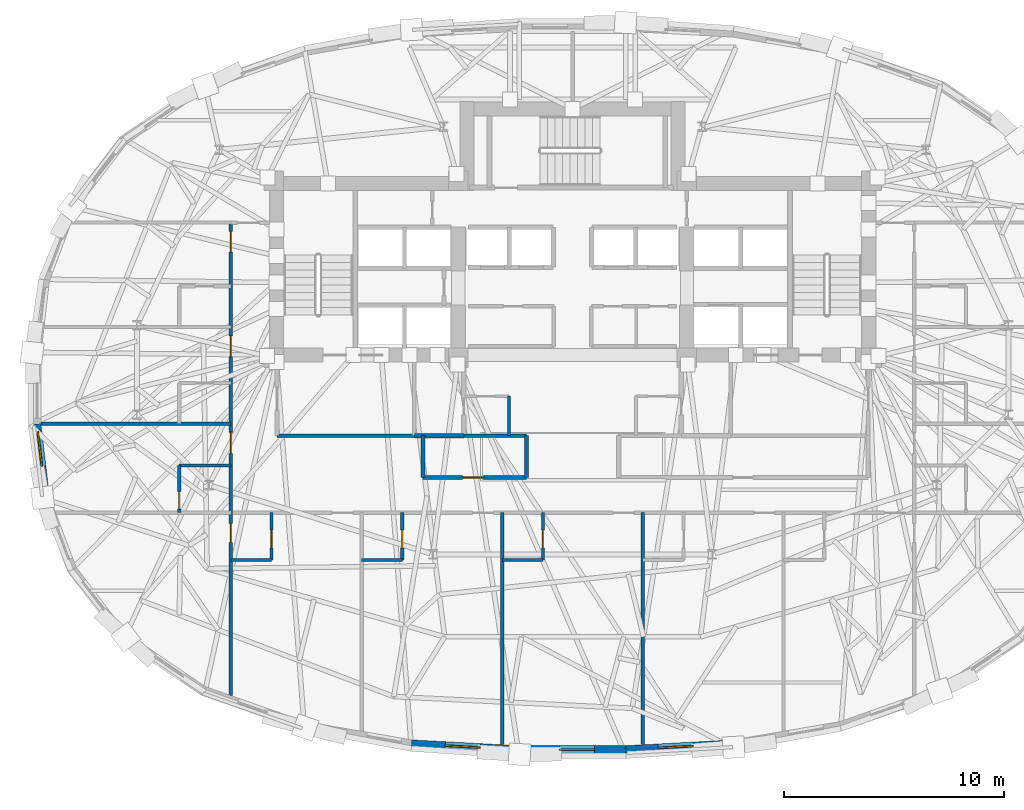
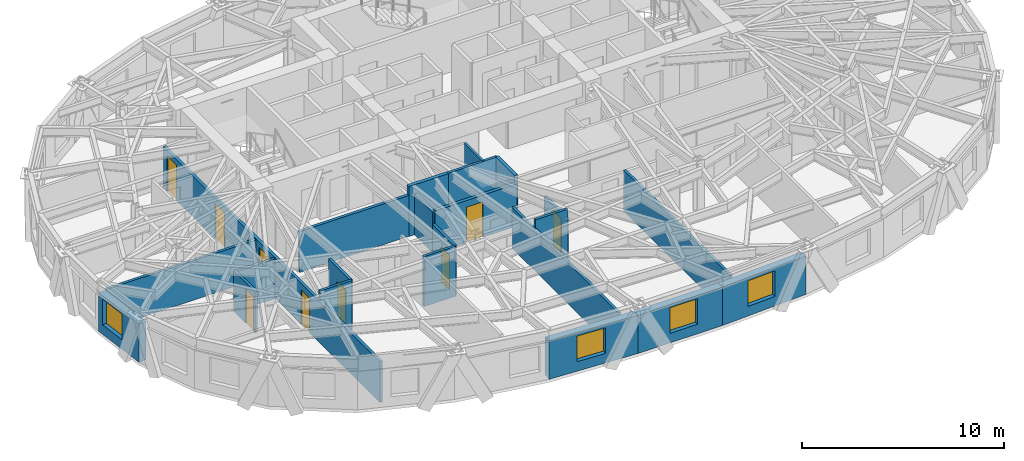
# One storey, part 6 of 15: 23 walls, 9 doors, 4 windows, 13 openings.
"""IFC4 building model written with IfcOpenShell, lengths in metres."""

from ifc_helpers import new_model, si_unit, direction, frame, frame_2d, origin, place, context, subcontext, project, spatial, rectangle, extrude, material, layer, layer_set, type_object, element, fill, save


model = new_model("IFC4")

# Units and contexts
model_context = context("Model", 3, precision=1e-05, world=origin(), true_north=direction((0.0, 1.0)))
body_context = subcontext(model_context, "Body", "Model", "MODEL_VIEW")
ifc_project = project(units=[si_unit("LENGTHUNIT", "METRE"), si_unit("AREAUNIT", "SQUARE_METRE"), si_unit("VOLUMEUNIT", "CUBIC_METRE"), si_unit("PLANEANGLEUNIT", "RADIAN"), si_unit("MASSUNIT", "GRAM", prefix="KILO")], contexts=[model_context])

# Site, building, storey
site_placement = place(None, origin())
site = spatial("IfcSite", under=ifc_project, at=site_placement, CompositionType="ELEMENT")
building_placement = place(site_placement, origin())
building = spatial("IfcBuilding", under=site, at=building_placement, Name="Keldmark Tower", CompositionType="ELEMENT")
storey_placement = place(building_placement, frame((0.0, 0.0, 143.800048828125)))
storey = spatial("IfcBuildingStorey", under=building, at=storey_placement, Name="L38", CompositionType="ELEMENT", Elevation=143.800048828125)

# Wall, opening, door
ifc_material_1 = material(Name="Heavy Acoustic Plumbing Chase Gypsum Assembly", Category="gypsum")
ifc_layer_1 = layer(ifc_material_1, 0.18994140625)
ifc_layer_set_1 = layer_set([ifc_layer_1], Name="Heavy Acoustic Plumbing Chase Gypsum Assembly")
wall_type_1 = type_object("IfcWallType", Name="Heavy Wet Wall 190 mm", PredefinedType="PLUMBINGWALL", material=ifc_layer_set_1)
wall_1_placement = place(storey_placement, frame((-6.800048828125, -4.050048828125, 0.0), z_axis=(0.0, 0.0, 1.0), x_axis=(1.0, 0.0, 0.0)))
wall_1 = element("IfcWall", 1, at=wall_1_placement, inside=storey, type_object=wall_type_1, Name="L38 Heavy Wet Wall 190 mm SPK-W-S", PredefinedType="PLUMBINGWALL", context=body_context, shape_type="SweptSolid", body=[
    extrude(rectangle(XDim=4.699951171875, YDim=0.18994140625, at=frame_2d((2.35009765625, 0.0))), origin(), (0.0, 0.0, 1.0), 2.554931640625),
])
opening_1_placement = place(wall_1_placement, frame((1.800048828125, 0.0, 0.0)))
opening_1 = element("IfcOpeningElement", 2, at=opening_1_placement, cuts=wall_1, Name="Opening D-AWC95", PredefinedType="OPENING", context=body_context, shape_type="SweptSolid", body=[
    extrude(rectangle(XDim=0.949951171875, YDim=2.14990234375, at=frame_2d((0.47509765625, 1.074951171875))), frame((0.0, 0.10498046875, 0.0), z_axis=(0.0, -1.0, 0.0), x_axis=(1.0, 0.0, 0.0)), (0.0, 0.0, 1.0), 0.2099609375),
])
ifc_material_2 = material(Name="Painted Solid-Core Architectural Wood", Category="wood")
door_type_1 = type_object("IfcDoorType", Name="Accessible WC Door 950x2150", OperationType="NOTDEFINED", PredefinedType="DOOR", material=ifc_material_2)
door_1_placement = place(opening_1_placement, origin())
door_1 = element("IfcDoor", 3, at=door_1_placement, inside=storey, type_object=door_type_1, Name="L38 Accessible WC Door 950x2150 D-SPKW1-L38", OperationType="SINGLE_SWING_LEFT", OverallHeight=2.14990234375, OverallWidth=0.949951171875, PredefinedType="DOOR", context=body_context, shape_type="SweptSolid", body=[
    extrude(rectangle(XDim=0.949951171875, YDim=2.14990234375, at=frame_2d((0.47509765625, 1.074951171875))), frame((0.0, 0.02490234375, 0.0), z_axis=(0.0, -1.0, 0.0), x_axis=(1.0, 0.0, 0.0)), (0.0, 0.0, 1.0), 0.050048828125),
])
fill(opening_1, door_1)

# Walls
wall_2_placement = place(storey_placement, frame((-6.800048828125, -4.050048828125, 0.0), z_axis=(0.0, 0.0, 1.0), x_axis=(0.0, 1.0, 0.0)))
element("IfcWall", 4, at=wall_2_placement, inside=storey, type_object=wall_type_1, Name="L38 Heavy Wet Wall 190 mm SPK-W-W", PredefinedType="PLUMBINGWALL", context=body_context, shape_type="SweptSolid", body=[
    extrude(rectangle(XDim=1.900146484375, YDim=0.18994140625, at=frame_2d((0.9501953125, 0.0))), origin(), (0.0, 0.0, 1.0), 2.472900390625),
])
wall_3_placement = place(storey_placement, frame((-2.10009765625, -4.050048828125, 0.0), z_axis=(0.0, 0.0, 1.0), x_axis=(0.0, 1.0, 0.0)))
element("IfcWall", 5, at=wall_3_placement, inside=storey, type_object=wall_type_1, Name="L38 Heavy Wet Wall 190 mm SPK-W-E", PredefinedType="PLUMBINGWALL", context=body_context, shape_type="SweptSolid", body=[
    extrude(rectangle(XDim=1.900146484375, YDim=0.18994140625, at=frame_2d((0.9501953125, 0.0))), origin(), (0.0, 0.0, 1.0), 3.02001953125),
])
ifc_material_3 = material(Name="Acoustic Gypsum Board Interior Partition", Category="gypsum")
ifc_layer_2 = layer(ifc_material_3, 0.1298828125)
ifc_layer_set_2 = layer_set([ifc_layer_2], Name="Acoustic Gypsum Board Interior Partition")
wall_type_2 = type_object("IfcWallType", Name="Interior Partition 130 mm", PredefinedType="PARTITIONING", material=ifc_layer_set_2)
wall_4_placement = place(storey_placement, frame((-2.889892578125, -2.14990234375, 0.0), z_axis=(0.0, 0.0, 1.0), x_axis=(0.0, 1.0, 0.0)))
element("IfcWall", 6, at=wall_4_placement, inside=storey, type_object=wall_type_2, Name="L38 Interior Partition 130 mm CSC-W-E", PredefinedType="PARTITIONING", context=body_context, shape_type="SweptSolid", body=[
    extrude(rectangle(XDim=1.7998046875, YDim=0.1298828125, at=frame_2d((0.89990234375, 0.0))), origin(), (0.0, 0.0, 1.0), 3.02001953125),
])
ifc_material_4 = material(Name="Type X Fire-Rated Gypsum Partition Assembly", Category="gypsum")
ifc_layer_3 = layer(ifc_material_4, 0.1650390625)
ifc_layer_set_3 = layer_set([ifc_layer_3], Name="Type X Fire-Rated Gypsum Partition Assembly")
wall_type_3 = type_object("IfcWallType", Name="Rated Partition 165 mm", PredefinedType="PARTITIONING", material=ifc_layer_set_3)
wall_5_placement = place(storey_placement, frame((-13.449951171875, -2.14990234375, 0.0), z_axis=(0.0, 0.0, 1.0), x_axis=(1.0, 0.0, 0.0)))
element("IfcWall", 7, at=wall_5_placement, inside=storey, type_object=wall_type_3, Name="L38 Rated Partition 165 mm FSAE-W-S", PredefinedType="PARTITIONING", context=body_context, shape_type="SweptSolid", body=[
    extrude(rectangle(XDim=6.25, YDim=0.1650390625, at=frame_2d((3.125, 0.0))), origin(), (0.0, 0.0, 1.0), 2.472900390625),
])

# Wall, openings, doors
wall_6_placement = place(storey_placement, frame((-15.550048828125, -13.964599609375, 0.0), z_axis=(0.0, 0.0, 1.0), x_axis=(0.0, 1.0, 0.0)))
wall_6 = element("IfcWall", 8, at=wall_6_placement, inside=storey, type_object=wall_type_3, Name="L38 Rated Partition 165 mm HCOR-W", PredefinedType="PARTITIONING", context=body_context, shape_type="SweptSolid", body=[
    extrude(rectangle(XDim=21.5146484375, YDim=0.1650390625, at=frame_2d((10.75732421875, 0.0))), origin(), (0.0, 0.0, 1.0), 2.472900390625),
])
opening_2_placement = place(wall_6_placement, frame((6.964111328125, 0.0, 0.0)))
opening_2 = element("IfcOpeningElement", 9, at=opening_2_placement, cuts=wall_6, Name="Opening D-IN085", PredefinedType="OPENING", context=body_context, shape_type="SweptSolid", body=[
    extrude(rectangle(XDim=0.85009765625, YDim=2.10009765625, at=frame_2d((0.425048828125, 1.050048828125))), frame((0.0, 0.092529296875, 0.0), z_axis=(0.0, -1.0, 0.0), x_axis=(1.0, 0.0, 0.0)), (0.0, 0.0, 1.0), 0.18505859375),
])
opening_3_placement = place(wall_6_placement, frame((11.01416015625, 0.0, 0.0)))
opening_3 = element("IfcOpeningElement", 10, at=opening_3_placement, cuts=wall_6, Name="Opening D-HT095", PredefinedType="OPENING", context=body_context, shape_type="SweptSolid", body=[
    extrude(rectangle(XDim=0.949951171875, YDim=2.14990234375, at=frame_2d((0.47509765625, 1.074951171875))), frame((0.0, 0.092529296875, 0.0), z_axis=(0.0, -1.0, 0.0), x_axis=(1.0, 0.0, 0.0)), (0.0, 0.0, 1.0), 0.18505859375),
])
opening_4_placement = place(wall_6_placement, frame((15.4140625, 0.0, 0.0)))
opening_4 = element("IfcOpeningElement", 11, at=opening_4_placement, cuts=wall_6, Name="Opening D-HT095", PredefinedType="OPENING", context=body_context, shape_type="SweptSolid", body=[
    extrude(rectangle(XDim=0.949951171875, YDim=2.14990234375, at=frame_2d((0.47509765625, 1.074951171875))), frame((0.0, 0.092529296875, 0.0), z_axis=(0.0, -1.0, 0.0), x_axis=(1.0, 0.0, 0.0)), (0.0, 0.0, 1.0), 0.18505859375),
])
opening_5_placement = place(wall_6_placement, frame((20.1650390625, 0.0, 0.0)))
opening_5 = element("IfcOpeningElement", 12, at=opening_5_placement, cuts=wall_6, Name="Opening D-HT095", PredefinedType="OPENING", context=body_context, shape_type="SweptSolid", body=[
    extrude(rectangle(XDim=0.949951171875, YDim=2.14990234375, at=frame_2d((0.47509765625, 1.074951171875))), frame((0.0, 0.092529296875, 0.0), z_axis=(0.0, -1.0, 0.0), x_axis=(1.0, 0.0, 0.0)), (0.0, 0.0, 1.0), 0.18505859375),
])
ifc_material_5 = material(Name="Solid-Core Acoustic White Oak Fire-Rated Assembly", Category="wood")
door_type_2 = type_object("IfcDoorType", Name="Hotel Entry Door 950x2150", OperationType="NOTDEFINED", PredefinedType="DOOR", material=ifc_material_5)
door_2_placement = place(opening_3_placement, origin())
door_2 = element("IfcDoor", 13, at=door_2_placement, inside=storey, type_object=door_type_2, Name="L38 Hotel Entry Door 950x2150 D-HR-6-L38", OperationType="SINGLE_SWING_RIGHT", OverallHeight=2.14990234375, OverallWidth=0.949951171875, PredefinedType="DOOR", context=body_context, shape_type="SweptSolid", body=[
    extrude(rectangle(XDim=0.949951171875, YDim=2.14990234375, at=frame_2d((0.47509765625, 1.074951171875))), frame((0.0, 0.02490234375, 0.0), z_axis=(0.0, -1.0, 0.0), x_axis=(1.0, 0.0, 0.0)), (0.0, 0.0, 1.0), 0.050048828125),
])
fill(opening_3, door_2)
door_3_placement = place(opening_4_placement, origin())
door_3 = element("IfcDoor", 14, at=door_3_placement, inside=storey, type_object=door_type_2, Name="L38 Hotel Entry Door 950x2150 D-HR-7-L38", OperationType="SINGLE_SWING_RIGHT", OverallHeight=2.14990234375, OverallWidth=0.949951171875, PredefinedType="DOOR", context=body_context, shape_type="SweptSolid", body=[
    extrude(rectangle(XDim=0.949951171875, YDim=2.14990234375, at=frame_2d((0.47509765625, 1.074951171875))), frame((0.0, 0.02490234375, 0.0), z_axis=(0.0, -1.0, 0.0), x_axis=(1.0, 0.0, 0.0)), (0.0, 0.0, 1.0), 0.050048828125),
])
fill(opening_4, door_3)
door_4_placement = place(opening_5_placement, origin())
door_4 = element("IfcDoor", 15, at=door_4_placement, inside=storey, type_object=door_type_2, Name="L38 Hotel Entry Door 950x2150 D-HR-8-L38", OperationType="SINGLE_SWING_RIGHT", OverallHeight=2.14990234375, OverallWidth=0.949951171875, PredefinedType="DOOR", context=body_context, shape_type="SweptSolid", body=[
    extrude(rectangle(XDim=0.949951171875, YDim=2.14990234375, at=frame_2d((0.47509765625, 1.074951171875))), frame((0.0, 0.02490234375, 0.0), z_axis=(0.0, -1.0, 0.0), x_axis=(1.0, 0.0, 0.0)), (0.0, 0.0, 1.0), 0.050048828125),
])
fill(opening_5, door_4)
ifc_material_6 = material(Name="Painted Architectural Wood", Category="wood")
door_type_3 = type_object("IfcDoorType", Name="Interior Door 850x2100", OperationType="NOTDEFINED", PredefinedType="DOOR", material=ifc_material_6)
door_5_placement = place(opening_2_placement, origin())
door_5 = element("IfcDoor", 16, at=door_5_placement, inside=storey, type_object=door_type_3, Name="L38 Interior Door 850x2100 D-HKSW-L38", OperationType="SINGLE_SWING_LEFT", OverallHeight=2.10009765625, OverallWidth=0.85009765625, PredefinedType="DOOR", context=body_context, shape_type="SweptSolid", body=[
    extrude(rectangle(XDim=0.85009765625, YDim=2.10009765625, at=frame_2d((0.425048828125, 1.050048828125))), frame((0.0, 0.02490234375, 0.0), z_axis=(0.0, -1.0, 0.0), x_axis=(1.0, 0.0, 0.0)), (0.0, 0.0, 1.0), 0.050048828125),
])
fill(opening_2, door_5)

# Wall
ifc_material_7 = material(Name="Fire-Resistant Type X Gypsum Shaftliner Coreboard", Category="gypsum")
ifc_layer_4 = layer(ifc_material_7, 0.199951171875)
ifc_layer_set_4 = layer_set([ifc_layer_4], Name="Fire-Resistant Type X Gypsum Shaftliner Coreboard")
wall_type_4 = type_object("IfcWallType", Name="Shaft Wall 200 mm", PredefinedType="SOLIDWALL", material=ifc_layer_set_4)
wall_7_placement = place(storey_placement, frame((-7.199951171875, -2.14990234375, 0.0), z_axis=(0.0, 0.0, 1.0), x_axis=(1.0, 0.0, 0.0)))
element("IfcWall", 17, at=wall_7_placement, inside=storey, type_object=wall_type_4, Name="L38 Shaft Wall 200 mm RIS-SW-S", PredefinedType="SOLIDWALL", context=body_context, shape_type="SweptSolid", body=[
    extrude(rectangle(XDim=2.25, YDim=0.199951171875, at=frame_2d((1.125, 0.0))), origin(), (0.0, 0.0, 1.0), 3.02001953125),
])

# Wall, opening, window
ifc_material_8 = material(Name="Ironspot Manganese Brick and Kasota Buff Limestone Spandrel Assembly", Category="masonry")
ifc_layer_5 = layer(ifc_material_8, 0.43994140625)
ifc_layer_set_5 = layer_set([ifc_layer_5], Name="Ironspot Manganese Brick and Kasota Buff Limestone Spandrel Assembly")
wall_type_5 = type_object("IfcWallType", Name="Tower Brick Pier and Spandrel Wall 440 mm", PredefinedType="STANDARD", material=ifc_layer_set_5)
wall_8_placement = place(storey_placement, frame((-24.02099609375, -4.958251953125, 0.0), z_axis=(0.0, 0.0, 1.0), x_axis=(-0.116605336518, 0.993178330158, 0.0)))
wall_8 = element("IfcWall", 18, at=wall_8_placement, inside=storey, type_object=wall_type_5, Name="L38 Exterior Brick and Spandrel Wall 17", PredefinedType="STANDARD", context=body_context, shape_type="SweptSolid", body=[
    extrude(rectangle(XDim=3.362548828125, YDim=0.43994140625, at=frame_2d((1.68115234375, 0.0))), origin(), (0.0, 0.0, 1.0), 2.31494140625),
])
opening_6_placement = place(wall_8_placement, frame((1.41650390625, 0.0, 0.580078125)))
opening_6 = element("IfcOpeningElement", 19, at=opening_6_placement, cuts=wall_8, Name="Opening W-04", PredefinedType="OPENING", context=body_context, shape_type="SweptSolid", body=[
    extrude(rectangle(XDim=1.60009765625, YDim=1.550048828125, at=frame_2d((0.800048828125, 0.77490234375))), frame((0.0, 0.22998046875, 0.0), z_axis=(0.0, -1.0, 0.0), x_axis=(1.0, 0.0, 0.0)), (0.0, 0.0, 1.0), 0.4599609375),
])
ifc_material_9 = material(Name="Thermally Broken Anodized Aluminum and Triple Low-E Argon Glazing", Category="aluminium")
window_type = type_object("IfcWindowType", Name="Hotel Deep-Set Operable Window 1600x1550", PartitioningType="DOUBLE_PANEL_HORIZONTAL", PredefinedType="WINDOW", material=ifc_material_9)
window_1_placement = place(opening_6_placement, origin())
window_1 = element("IfcWindow", 20, at=window_1_placement, inside=storey, type_object=window_type, Name="L38 Deep-Set Window 17", OverallHeight=1.550048828125, OverallWidth=1.60009765625, PartitioningType="SINGLE_PANEL", PredefinedType="WINDOW", context=body_context, shape_type="SweptSolid", body=[
    extrude(rectangle(XDim=1.60009765625, YDim=1.550048828125, at=frame_2d((0.800048828125, 0.77490234375))), frame((0.0, -0.010009765625, 0.0), z_axis=(0.0, -1.0, 0.0), x_axis=(1.0, 0.0, 0.0)), (0.0, 0.0, 1.0), 0.06005859375),
])
fill(opening_6, window_1)

wall_9_placement = place(storey_placement, frame((-2.414306640625, -16.47607421875, 0.0), z_axis=(0.0, 0.0, 1.0), x_axis=(-0.998547098553, 0.05388591627, 0.0)))
wall_9 = element("IfcWall", 21, at=wall_9_placement, inside=storey, type_object=wall_type_5, Name="L38 Exterior Brick and Spandrel Wall 23", PredefinedType="STANDARD", context=body_context, shape_type="SweptSolid", body=[
    extrude(rectangle(XDim=4.933837890625, YDim=0.43994140625, at=frame_2d((2.466796875, 0.0))), origin(), (0.0, 0.0, 1.0), 2.31494140625),
])
opening_7_placement = place(wall_9_placement, frame((1.79150390625, 0.0, 0.580078125)))
opening_7 = element("IfcOpeningElement", 22, at=opening_7_placement, cuts=wall_9, Name="Opening W-04", PredefinedType="OPENING", context=body_context, shape_type="SweptSolid", body=[
    extrude(rectangle(XDim=1.60009765625, YDim=1.550048828125, at=frame_2d((0.800048828125, 0.77490234375))), frame((0.0, 0.22998046875, 0.0), z_axis=(0.0, -1.0, 0.0), x_axis=(1.0, 0.0, 0.0)), (0.0, 0.0, 1.0), 0.4599609375),
])
window_2_placement = place(opening_7_placement, origin())
window_2 = element("IfcWindow", 23, at=window_2_placement, inside=storey, type_object=window_type, Name="L38 Deep-Set Window 23", OverallHeight=1.550048828125, OverallWidth=1.60009765625, PartitioningType="SINGLE_PANEL", PredefinedType="WINDOW", context=body_context, shape_type="SweptSolid", body=[
    extrude(rectangle(XDim=1.60009765625, YDim=1.550048828125, at=frame_2d((0.800048828125, 0.77490234375))), frame((0.0, -0.010009765625, 0.0), z_axis=(0.0, -1.0, 0.0), x_axis=(1.0, 0.0, 0.0)), (0.0, 0.0, 1.0), 0.06005859375),
])
fill(opening_7, window_2)

wall_10_placement = place(storey_placement, frame((2.426025390625, -16.4755859375, 0.0), z_axis=(0.0, 0.0, 1.0), x_axis=(-1.0, 0.0, 0.0)))
wall_10 = element("IfcWall", 24, at=wall_10_placement, inside=storey, type_object=wall_type_5, Name="L38 Exterior Brick and Spandrel Wall 24", PredefinedType="STANDARD", context=body_context, shape_type="SweptSolid", body=[
    extrude(rectangle(XDim=4.85205078125, YDim=0.43994140625, at=frame_2d((2.426025390625, 0.0))), origin(), (0.0, 0.0, 1.0), 2.31494140625),
])
opening_8_placement = place(wall_10_placement, frame((1.42919921875, 0.0, 0.580078125)))
opening_8 = element("IfcOpeningElement", 25, at=opening_8_placement, cuts=wall_10, Name="Opening W-04", PredefinedType="OPENING", context=body_context, shape_type="SweptSolid", body=[
    extrude(rectangle(XDim=1.60009765625, YDim=1.550048828125, at=frame_2d((0.800048828125, 0.77490234375))), frame((0.0, 0.22998046875, 0.0), z_axis=(0.0, -1.0, 0.0), x_axis=(1.0, 0.0, 0.0)), (0.0, 0.0, 1.0), 0.4599609375),
])
window_3_placement = place(opening_8_placement, origin())
window_3 = element("IfcWindow", 26, at=window_3_placement, inside=storey, type_object=window_type, Name="L38 Deep-Set Window 24", OverallHeight=1.550048828125, OverallWidth=1.60009765625, PartitioningType="SINGLE_PANEL", PredefinedType="WINDOW", context=body_context, shape_type="SweptSolid", body=[
    extrude(rectangle(XDim=1.60009765625, YDim=1.550048828125, at=frame_2d((0.800048828125, 0.77490234375))), frame((0.0, -0.010009765625, 0.0), z_axis=(0.0, -1.0, 0.0), x_axis=(1.0, 0.0, 0.0)), (0.0, 0.0, 1.0), 0.06005859375),
])
fill(opening_8, window_3)

wall_11_placement = place(storey_placement, frame((7.341064453125, -16.210205078125, 0.0), z_axis=(0.0, 0.0, 1.0), x_axis=(-0.998547098553, -0.05388591627, 0.0)))
wall_11 = element("IfcWall", 27, at=wall_11_placement, inside=storey, type_object=wall_type_5, Name="L38 Exterior Brick and Spandrel Wall 25", PredefinedType="STANDARD", context=body_context, shape_type="SweptSolid", body=[
    extrude(rectangle(XDim=4.933837890625, YDim=0.43994140625, at=frame_2d((2.466796875, 0.0))), origin(), (0.0, 0.0, 1.0), 2.31494140625),
])
opening_9_placement = place(wall_11_placement, frame((1.841064453125, 0.0, 0.580078125)))
opening_9 = element("IfcOpeningElement", 28, at=opening_9_placement, cuts=wall_11, Name="Opening W-04", PredefinedType="OPENING", context=body_context, shape_type="SweptSolid", body=[
    extrude(rectangle(XDim=1.60009765625, YDim=1.550048828125, at=frame_2d((0.800048828125, 0.77490234375))), frame((0.0, 0.22998046875, 0.0), z_axis=(0.0, -1.0, 0.0), x_axis=(1.0, 0.0, 0.0)), (0.0, 0.0, 1.0), 0.4599609375),
])
window_4_placement = place(opening_9_placement, origin())
window_4 = element("IfcWindow", 29, at=window_4_placement, inside=storey, type_object=window_type, Name="L38 Deep-Set Window 25", OverallHeight=1.550048828125, OverallWidth=1.60009765625, PartitioningType="SINGLE_PANEL", PredefinedType="WINDOW", context=body_context, shape_type="SweptSolid", body=[
    extrude(rectangle(XDim=1.60009765625, YDim=1.550048828125, at=frame_2d((0.800048828125, 0.77490234375))), frame((0.0, -0.010009765625, 0.0), z_axis=(0.0, -1.0, 0.0), x_axis=(1.0, 0.0, 0.0)), (0.0, 0.0, 1.0), 0.06005859375),
])
fill(opening_9, window_4)

# Walls
ifc_material_10 = material(Name="Moisture-Resistant Gypsum Plumbing Partition", Category="gypsum")
ifc_layer_6 = layer(ifc_material_10, 0.14990234375)
ifc_layer_set_6 = layer_set([ifc_layer_6], Name="Moisture-Resistant Gypsum Plumbing Partition")
wall_type_6 = type_object("IfcWallType", Name="Wet Wall 150 mm", PredefinedType="PLUMBINGWALL", material=ifc_layer_set_6)
wall_12_placement = place(storey_placement, frame((-4.949951171875, -2.14990234375, 0.0), z_axis=(0.0, 0.0, 1.0), x_axis=(1.0, 0.0, 0.0)))
element("IfcWall", 30, at=wall_12_placement, inside=storey, type_object=wall_type_6, Name="L38 Wet Wall 150 mm SPK-W-N", PredefinedType="PLUMBINGWALL", context=body_context, shape_type="SweptSolid", body=[
    extrude(rectangle(XDim=2.849853515625, YDim=0.14990234375, at=frame_2d((1.4248046875, 0.0))), origin(), (0.0, 0.0, 1.0), 3.02001953125),
])
for number, where, z_axis, x_axis, name in (
    (31, (-3.199951171875, -16.205322265625, 0.0), (0.0, 0.0, 1.0), (0.0, 1.0, 0.0), "L38 Wet Wall 150 mm HS-DIV-2"),
    (32, (3.199951171875, -16.205322265625, 0.0), (0.0, 0.0, 1.0), (0.0, 1.0, 0.0), "L38 Wet Wall 150 mm HS-DIV-3"),
):
    element("IfcWall", number, at=place(storey_placement, frame(where, z_axis=z_axis, x_axis=x_axis)), inside=storey, type_object=wall_type_6, Name=name, PredefinedType="PLUMBINGWALL", context=body_context, shape_type="SweptSolid", body=[
        extrude(rectangle(XDim=10.555419921875, YDim=0.14990234375, at=frame_2d((5.27783203125, 0.0))), origin(), (0.0, 0.0, 1.0), 2.472900390625),
    ])

# Wall, opening, door
wall_13_placement = place(storey_placement, frame((-13.699951171875, -7.800048828125, 0.0), z_axis=(0.0, 0.0, 1.0), x_axis=(0.0, 1.0, 0.0)))
wall_13 = element("IfcWall", 33, at=wall_13_placement, inside=storey, type_object=wall_type_6, Name="L38 Wet Wall 150 mm HB-S1-E", PredefinedType="PLUMBINGWALL", context=body_context, shape_type="SweptSolid", body=[
    extrude(rectangle(XDim=2.150146484375, YDim=0.14990234375, at=frame_2d((1.0751953125, 0.0))), origin(), (0.0, 0.0, 1.0), 3.02001953125),
])
opening_10_placement = place(wall_13_placement, frame((0.550048828125, 0.0, 0.0)))
opening_10 = element("IfcOpeningElement", 34, at=opening_10_placement, cuts=wall_13, Name="Opening D-BT080", PredefinedType="OPENING", context=body_context, shape_type="SweptSolid", body=[
    extrude(rectangle(XDim=0.800048828125, YDim=2.10009765625, at=frame_2d((0.39990234375, 1.050048828125))), frame((0.0, 0.0849609375, 0.0), z_axis=(0.0, -1.0, 0.0), x_axis=(1.0, 0.0, 0.0)), (0.0, 0.0, 1.0), 0.169921875),
])
ifc_material_11 = material(Name="Moisture-Sealed Stained Wood", Category="wood")
door_type_4 = type_object("IfcDoorType", Name="Bathroom Door 800x2100", OperationType="NOTDEFINED", PredefinedType="DOOR", material=ifc_material_11)
door_6_placement = place(opening_10_placement, origin())
door_6 = element("IfcDoor", 35, at=door_6_placement, inside=storey, type_object=door_type_4, Name="L38 Bathroom Door 800x2100 D-HBS1-L38", OperationType="SINGLE_SWING_RIGHT", OverallHeight=2.10009765625, OverallWidth=0.800048828125, PredefinedType="DOOR", context=body_context, shape_type="SweptSolid", body=[
    extrude(rectangle(XDim=0.800048828125, YDim=2.10009765625, at=frame_2d((0.39990234375, 1.050048828125))), frame((0.0, 0.02490234375, 0.0), z_axis=(0.0, -1.0, 0.0), x_axis=(1.0, 0.0, 0.0)), (0.0, 0.0, 1.0), 0.050048828125),
])
fill(opening_10, door_6)

# Wall
wall_14_placement = place(storey_placement, frame((-15.550048828125, -7.800048828125, 0.0), z_axis=(0.0, 0.0, 1.0), x_axis=(1.0, 0.0, 0.0)))
element("IfcWall", 36, at=wall_14_placement, inside=storey, type_object=wall_type_6, Name="L38 Wet Wall 150 mm HB-S1-S", PredefinedType="PLUMBINGWALL", context=body_context, shape_type="SweptSolid", body=[
    extrude(rectangle(XDim=1.85009765625, YDim=0.14990234375, at=frame_2d((0.925048828125, 0.0))), origin(), (0.0, 0.0, 1.0), 3.02001953125),
])

# Wall, opening, door
wall_15_placement = place(storey_placement, frame((-7.75, -7.800048828125, 0.0), z_axis=(0.0, 0.0, 1.0), x_axis=(0.0, 1.0, 0.0)))
wall_15 = element("IfcWall", 37, at=wall_15_placement, inside=storey, type_object=wall_type_6, Name="L38 Wet Wall 150 mm HB-S2-E", PredefinedType="PLUMBINGWALL", context=body_context, shape_type="SweptSolid", body=[
    extrude(rectangle(XDim=2.150146484375, YDim=0.14990234375, at=frame_2d((1.0751953125, 0.0))), origin(), (0.0, 0.0, 1.0), 3.02001953125),
])
opening_11_placement = place(wall_15_placement, frame((0.550048828125, 0.0, 0.0)))
opening_11 = element("IfcOpeningElement", 38, at=opening_11_placement, cuts=wall_15, Name="Opening D-BT080", PredefinedType="OPENING", context=body_context, shape_type="SweptSolid", body=[
    extrude(rectangle(XDim=0.800048828125, YDim=2.10009765625, at=frame_2d((0.39990234375, 1.050048828125))), frame((0.0, 0.0849609375, 0.0), z_axis=(0.0, -1.0, 0.0), x_axis=(1.0, 0.0, 0.0)), (0.0, 0.0, 1.0), 0.169921875),
])
door_7_placement = place(opening_11_placement, origin())
door_7 = element("IfcDoor", 39, at=door_7_placement, inside=storey, type_object=door_type_4, Name="L38 Bathroom Door 800x2100 D-HBS2-L38", OperationType="SINGLE_SWING_RIGHT", OverallHeight=2.10009765625, OverallWidth=0.800048828125, PredefinedType="DOOR", context=body_context, shape_type="SweptSolid", body=[
    extrude(rectangle(XDim=0.800048828125, YDim=2.10009765625, at=frame_2d((0.39990234375, 1.050048828125))), frame((0.0, 0.02490234375, 0.0), z_axis=(0.0, -1.0, 0.0), x_axis=(1.0, 0.0, 0.0)), (0.0, 0.0, 1.0), 0.050048828125),
])
fill(opening_11, door_7)

# Wall
wall_16_placement = place(storey_placement, frame((-9.60009765625, -7.800048828125, 0.0), z_axis=(0.0, 0.0, 1.0), x_axis=(1.0, 0.0, 0.0)))
element("IfcWall", 40, at=wall_16_placement, inside=storey, type_object=wall_type_6, Name="L38 Wet Wall 150 mm HB-S2-S", PredefinedType="PLUMBINGWALL", context=body_context, shape_type="SweptSolid", body=[
    extrude(rectangle(XDim=1.85009765625, YDim=0.14990234375, at=frame_2d((0.925048828125, 0.0))), origin(), (0.0, 0.0, 1.0), 3.02001953125),
])

# Wall, opening, door
wall_17_placement = place(storey_placement, frame((-1.35009765625, -7.800048828125, 0.0), z_axis=(0.0, 0.0, 1.0), x_axis=(0.0, 1.0, 0.0)))
wall_17 = element("IfcWall", 41, at=wall_17_placement, inside=storey, type_object=wall_type_6, Name="L38 Wet Wall 150 mm HB-S3-E", PredefinedType="PLUMBINGWALL", context=body_context, shape_type="SweptSolid", body=[
    extrude(rectangle(XDim=2.150146484375, YDim=0.14990234375, at=frame_2d((1.0751953125, 0.0))), origin(), (0.0, 0.0, 1.0), 2.472900390625),
])
opening_12_placement = place(wall_17_placement, frame((0.550048828125, 0.0, 0.0)))
opening_12 = element("IfcOpeningElement", 42, at=opening_12_placement, cuts=wall_17, Name="Opening D-BT080", PredefinedType="OPENING", context=body_context, shape_type="SweptSolid", body=[
    extrude(rectangle(XDim=0.800048828125, YDim=2.10009765625, at=frame_2d((0.39990234375, 1.050048828125))), frame((0.0, 0.0849609375, 0.0), z_axis=(0.0, -1.0, 0.0), x_axis=(1.0, 0.0, 0.0)), (0.0, 0.0, 1.0), 0.169921875),
])
door_8_placement = place(opening_12_placement, origin())
door_8 = element("IfcDoor", 43, at=door_8_placement, inside=storey, type_object=door_type_4, Name="L38 Bathroom Door 800x2100 D-HBS3-L38", OperationType="SINGLE_SWING_RIGHT", OverallHeight=2.10009765625, OverallWidth=0.800048828125, PredefinedType="DOOR", context=body_context, shape_type="SweptSolid", body=[
    extrude(rectangle(XDim=0.800048828125, YDim=2.10009765625, at=frame_2d((0.39990234375, 1.050048828125))), frame((0.0, 0.02490234375, 0.0), z_axis=(0.0, -1.0, 0.0), x_axis=(1.0, 0.0, 0.0)), (0.0, 0.0, 1.0), 0.050048828125),
])
fill(opening_12, door_8)

# Walls
wall_18_placement = place(storey_placement, frame((-3.199951171875, -7.800048828125, 0.0), z_axis=(0.0, 0.0, 1.0), x_axis=(1.0, 0.0, 0.0)))
element("IfcWall", 44, at=wall_18_placement, inside=storey, type_object=wall_type_6, Name="L38 Wet Wall 150 mm HB-S3-S", PredefinedType="PLUMBINGWALL", context=body_context, shape_type="SweptSolid", body=[
    extrude(rectangle(XDim=1.849853515625, YDim=0.14990234375, at=frame_2d((0.9248046875, 0.0))), origin(), (0.0, 0.0, 1.0), 3.02001953125),
])
wall_19_placement = place(storey_placement, frame((-24.18359375, -1.60009765625, 0.0), z_axis=(0.0, 0.0, 1.0), x_axis=(1.0, 0.0, 0.0)))
element("IfcWall", 45, at=wall_19_placement, inside=storey, type_object=wall_type_6, Name="L38 Wet Wall 150 mm HW-DIV-1", PredefinedType="PLUMBINGWALL", context=body_context, shape_type="SweptSolid", body=[
    extrude(rectangle(XDim=8.633544921875, YDim=0.14990234375, at=frame_2d((4.31689453125, 0.0))), origin(), (0.0, 0.0, 1.0), 2.39794921875),
])
wall_20_placement = place(storey_placement, frame((-17.89990234375, -3.5, 0.0), z_axis=(0.0, 0.0, 1.0), x_axis=(1.0, 0.0, 0.0)))
element("IfcWall", 46, at=wall_20_placement, inside=storey, type_object=wall_type_6, Name="L38 Wet Wall 150 mm HB-6-N", PredefinedType="PLUMBINGWALL", context=body_context, shape_type="SweptSolid", body=[
    extrude(rectangle(XDim=2.349853515625, YDim=0.14990234375, at=frame_2d((1.1748046875, 0.0))), origin(), (0.0, 0.0, 1.0), 2.39794921875),
])

# Wall, opening, door
wall_21_placement = place(storey_placement, frame((-17.89990234375, -5.64990234375, 0.0), z_axis=(0.0, 0.0, 1.0), x_axis=(0.0, 1.0, 0.0)))
wall_21 = element("IfcWall", 47, at=wall_21_placement, inside=storey, type_object=wall_type_6, Name="L38 Wet Wall 150 mm HB-6-IN", PredefinedType="PLUMBINGWALL", context=body_context, shape_type="SweptSolid", body=[
    extrude(rectangle(XDim=2.14990234375, YDim=0.14990234375, at=frame_2d((1.074951171875, 0.0))), origin(), (0.0, 0.0, 1.0), 2.472900390625),
])
opening_13_placement = place(wall_21_placement, frame((0.159912109375, 0.0, 0.0)))
opening_13 = element("IfcOpeningElement", 48, at=opening_13_placement, cuts=wall_21, Name="Opening D-BT080", PredefinedType="OPENING", context=body_context, shape_type="SweptSolid", body=[
    extrude(rectangle(XDim=0.800048828125, YDim=2.10009765625, at=frame_2d((0.39990234375, 1.050048828125))), frame((0.0, 0.0849609375, 0.0), z_axis=(0.0, -1.0, 0.0), x_axis=(1.0, 0.0, 0.0)), (0.0, 0.0, 1.0), 0.169921875),
])
door_9_placement = place(opening_13_placement, origin())
door_9 = element("IfcDoor", 49, at=door_9_placement, inside=storey, type_object=door_type_4, Name="L38 Bathroom Door 800x2100 D-HB-6-L38", OperationType="SINGLE_SWING_LEFT", OverallHeight=2.10009765625, OverallWidth=0.800048828125, PredefinedType="DOOR", context=body_context, shape_type="SweptSolid", body=[
    extrude(rectangle(XDim=0.800048828125, YDim=2.10009765625, at=frame_2d((0.39990234375, 1.050048828125))), frame((0.0, 0.02490234375, 0.0), z_axis=(0.0, -1.0, 0.0), x_axis=(1.0, 0.0, 0.0)), (0.0, 0.0, 1.0), 0.050048828125),
])
fill(opening_13, door_9)

save(model, "model.ifc")
